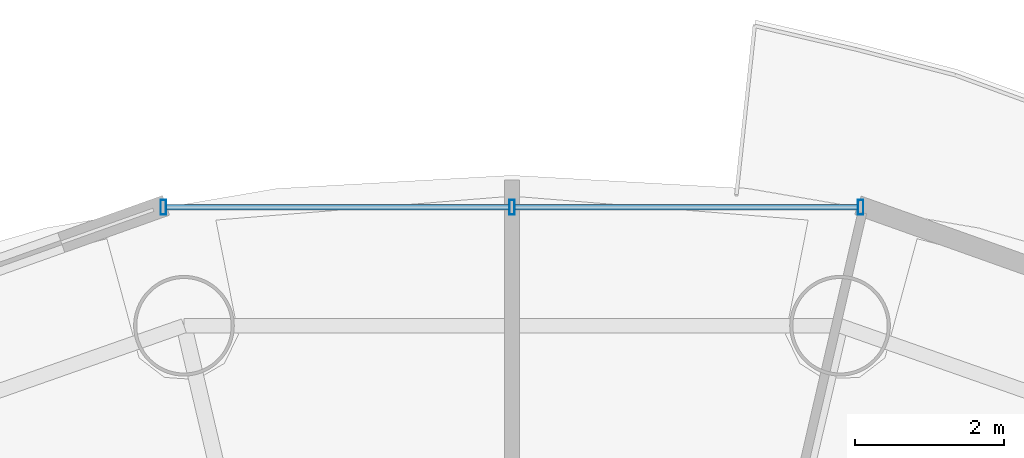
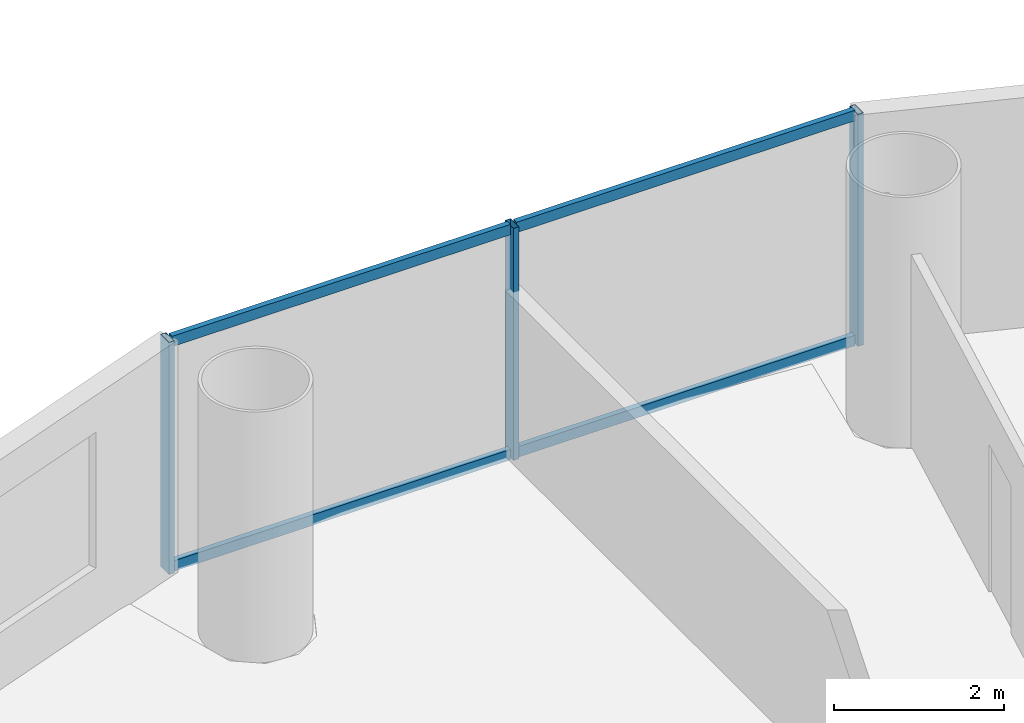
# One storey, part 16 of 26: 7 members, 1 element without a shape of its own.
"""IFC4 building model written with IfcOpenShell, lengths in metres."""

from ifc_helpers import new_model, si_unit, direction, frame, origin, origin_2d, place, context, subcontext, project, spatial, hollow_rectangle, extrude, source, transform, mapped, material, material_profile, profile_set, type_object, element, aggregate, save


model = new_model("IFC4")

# Units and contexts
model_context = context("Model", 3, precision=1e-05, world=origin(), true_north=direction((-0.2419218956, 0.970295726276)))
body_context = subcontext(model_context, "Body", "Model", "MODEL_VIEW")
ifc_project = project(units=[si_unit("LENGTHUNIT", "METRE"), si_unit("AREAUNIT", "SQUARE_METRE"), si_unit("VOLUMEUNIT", "CUBIC_METRE"), si_unit("PLANEANGLEUNIT", "RADIAN"), si_unit("MASSUNIT", "GRAM", prefix="KILO")], contexts=[model_context])

# Site, building, storey
site_placement = place(None, origin())
site = spatial("IfcSite", under=ifc_project, at=site_placement, CompositionType="ELEMENT")
building_placement = place(site_placement, origin())
building = spatial("IfcBuilding", under=site, at=building_placement, Name="Cobrevalo Terracotta Tower", CompositionType="ELEMENT")
storey_placement = place(building_placement, frame((0.0, 0.0, 139.0)))
storey = spatial("IfcBuildingStorey", under=building, at=storey_placement, Name="L36", CompositionType="ELEMENT", Elevation=139.0)

# Curtain wall, members
ifc_material = material(Name="Anodized aluminium", Category="aluminium")
curtain_wall_type = type_object("IfcCurtainWallType", Name="Mid-tower high-wind unitised curtain wall CW-U2", PredefinedType="NOTDEFINED", material=ifc_material)
curtain_wall_placement = place(storey_placement, origin())
curtain_wall = element("IfcCurtainWall", 1, at=curtain_wall_placement, inside=storey, type_object=curtain_wall_type, Name="L36 curtain wall CW-L36-S04", PredefinedType="NOTDEFINED")
ifc_material_profile_1 = material_profile(ifc_material, hollow_rectangle(XDim=0.074951171875, YDim=0.199951171875, WallThickness=0.0048828125, at=origin_2d()), Name="CWM 75x200")
ifc_profile_set_1 = profile_set([ifc_material_profile_1], Name="Anodized aluminium")
member_type_1 = type_object("IfcMemberType", Name="Lower/mid tower unitised mullion 75x200", PredefinedType="MULLION", material=ifc_profile_set_1)
shared_shape_1 = source(origin(), body_context, "Body", "SweptSolid", [
    extrude(hollow_rectangle(XDim=0.074951171875, YDim=0.199951171875, WallThickness=0.0048828125, at=origin_2d()), origin(), (0.0, 0.0, 1.0), 3.330078125),
])
member_1_placement = place(storey_placement, frame((42.67529296875, 47.1708984375, 0.0), z_axis=(0.0, 0.0, 1.0), x_axis=(-1.0, 0.0, 0.0)))
member_1 = element("IfcMember", 2, at=member_1_placement, type_object=member_type_1, Name="CW-L36-S04 vertical mullion 01", PredefinedType="MULLION", context=body_context, shape_type="MappedRepresentation", body=[
    mapped(shared_shape_1, transform((0.0, 0.0, 0.0), scale=1.0)),
])
member_2_placement = place(storey_placement, frame((38.0, 47.1708984375, 0.0), z_axis=(0.0, 0.0, 1.0), x_axis=(-1.0, 0.0, 0.0)))
member_2 = element("IfcMember", 3, at=member_2_placement, type_object=member_type_1, Name="CW-L36-S04 vertical mullion 02", PredefinedType="MULLION", context=body_context, shape_type="MappedRepresentation", body=[
    mapped(shared_shape_1, transform((0.0, 0.0, 0.0), scale=1.0)),
])
member_3_placement = place(storey_placement, frame((33.32470703125, 47.1708984375, 0.0), z_axis=(0.0, 0.0, 1.0), x_axis=(-1.0, 0.0, 0.0)))
member_3 = element("IfcMember", 4, at=member_3_placement, type_object=member_type_1, Name="CW-L36-S04 vertical mullion 03", PredefinedType="MULLION", context=body_context, shape_type="MappedRepresentation", body=[
    mapped(shared_shape_1, transform((0.0, 0.0, 0.0), scale=1.0)),
])
ifc_material_profile_2 = material_profile(ifc_material, hollow_rectangle(XDim=0.074951171875, YDim=0.14990234375, WallThickness=0.00439453125, at=origin_2d()), Name="CWT 75x150")
ifc_profile_set_2 = profile_set([ifc_material_profile_2], Name="Anodized aluminium")
member_type_2 = type_object("IfcMemberType", Name="Tower unitised aluminium transom 75x150", PredefinedType="USERDEFINED", material=ifc_profile_set_2)
shared_shape_2 = source(origin(), body_context, "Body", "SweptSolid", [
    extrude(hollow_rectangle(XDim=0.074951171875, YDim=0.14990234375, WallThickness=0.00439453125, at=origin_2d()), origin(), (0.0, 0.0, 1.0), 4.59521484375),
])
member_4_placement = place(storey_placement, frame((42.63525390625, 47.1708984375, 0.050048828125), z_axis=(-1.0, 0.0, 0.0), x_axis=(0.0, -1.0, 0.0)))
member_4 = element("IfcMember", 5, at=member_4_placement, type_object=member_type_2, Name="CW-L36-S04 transom B01-T1", ObjectType="TRANSOM", PredefinedType="USERDEFINED", context=body_context, shape_type="MappedRepresentation", body=[
    mapped(shared_shape_2, transform((0.0, 0.0, 0.0), scale=1.0)),
])
member_5_placement = place(storey_placement, frame((42.63525390625, 47.1708984375, 3.280029296875), z_axis=(-1.0, 0.0, 0.0), x_axis=(0.0, -1.0, 0.0)))
member_5 = element("IfcMember", 6, at=member_5_placement, type_object=member_type_2, Name="CW-L36-S04 transom B01-T2", ObjectType="TRANSOM", PredefinedType="USERDEFINED", context=body_context, shape_type="MappedRepresentation", body=[
    mapped(shared_shape_2, transform((0.0, 0.0, 0.0), scale=1.0)),
])
member_6_placement = place(storey_placement, frame((37.9599609375, 47.1708984375, 0.050048828125), z_axis=(-1.0, 0.0, 0.0), x_axis=(0.0, -1.0, 0.0)))
member_6 = element("IfcMember", 7, at=member_6_placement, type_object=member_type_2, Name="CW-L36-S04 transom B02-T1", ObjectType="TRANSOM", PredefinedType="USERDEFINED", context=body_context, shape_type="MappedRepresentation", body=[
    mapped(shared_shape_2, transform((0.0, 0.0, 0.0), scale=1.0)),
])
member_7_placement = place(storey_placement, frame((37.9599609375, 47.1708984375, 3.280029296875), z_axis=(-1.0, 0.0, 0.0), x_axis=(0.0, -1.0, 0.0)))
member_7 = element("IfcMember", 8, at=member_7_placement, type_object=member_type_2, Name="CW-L36-S04 transom B02-T2", ObjectType="TRANSOM", PredefinedType="USERDEFINED", context=body_context, shape_type="MappedRepresentation", body=[
    mapped(shared_shape_2, transform((0.0, 0.0, 0.0), scale=1.0)),
])
aggregate(curtain_wall, [member_1, member_2, member_3, member_4, member_5, member_6, member_7])

save(model, "model.ifc")
